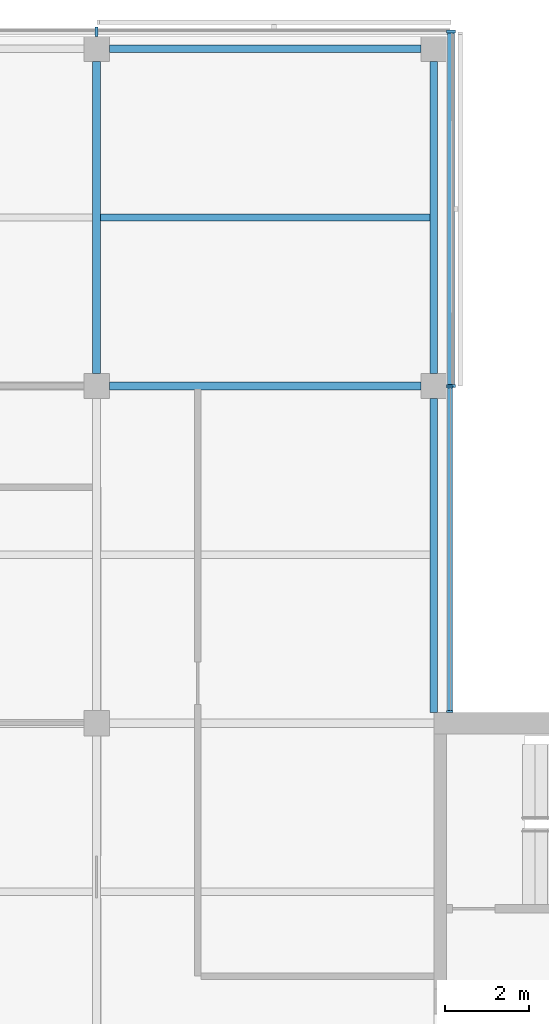
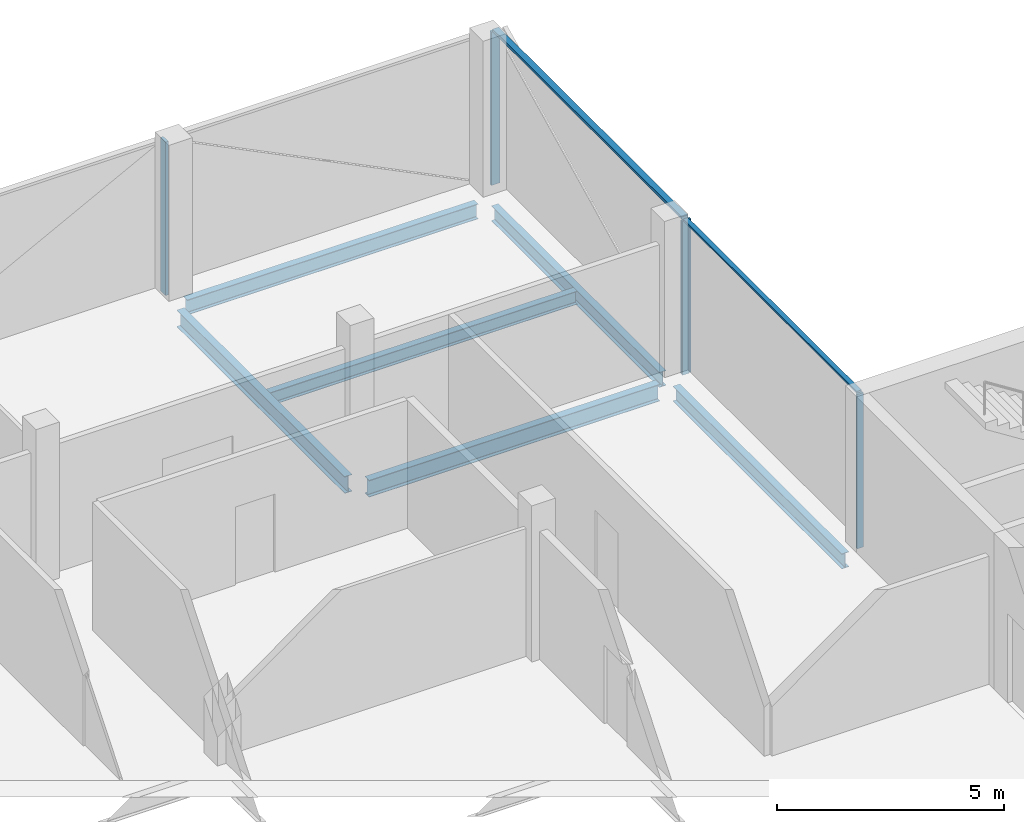
# One storey, part 7 of 15: 7 members, 6 beams, 3 elements without a shape of their own.
"""IFC4 building model written with IfcOpenShell, lengths in metres."""

from ifc_helpers import new_model, si_unit, direction, frame, origin, origin_2d, place, context, subcontext, project, spatial, rectangle, i_section, extrude, material, material_profile, profile_set, type_object, element, aggregate, save


model = new_model("IFC4")

# Units and contexts
model_context = context("Model", 3, precision=1e-05, world=origin(), true_north=direction((0.0, 1.0)))
body_context = subcontext(model_context, "Body", "Model", "MODEL_VIEW")
ifc_project = project(units=[si_unit("LENGTHUNIT", "METRE"), si_unit("AREAUNIT", "SQUARE_METRE"), si_unit("VOLUMEUNIT", "CUBIC_METRE"), si_unit("PLANEANGLEUNIT", "RADIAN"), si_unit("MASSUNIT", "GRAM", prefix="KILO")], contexts=[model_context])

# Site, building, storey
site_placement = place(None, origin())
site = spatial("IfcSite", under=ifc_project, at=site_placement, CompositionType="ELEMENT")
building_placement = place(site_placement, origin())
building = spatial("IfcBuilding", under=site, at=building_placement, Name="Crosswind Convention Tower", CompositionType="ELEMENT")
storey_placement = place(building_placement, frame((0.0, 0.0, 315.5)))
storey = spatial("IfcBuildingStorey", under=building, at=storey_placement, Name="L68", CompositionType="ELEMENT", Elevation=315.5)

# Beams
ifc_material_1 = material(Name="Steel S355", Category="steel")
ifc_material_profile_1 = material_profile(ifc_material_1, i_section(OverallWidth=0.177734375, OverallDepth=0.406494140625, WebThickness=0.0078125, FlangeThickness=0.0126953125, FilletRadius=0.01025390625, at=origin_2d()), Name="UB 406x178x60")
ifc_profile_set_1 = profile_set([ifc_material_profile_1], Name="Steel S355")
beam_type_1 = type_object("IfcBeamType", Name="Edge beam UB 406x178x60", PredefinedType="SPANDREL", material=ifc_profile_set_1)
beam_1_placement = place(storey_placement, frame((129.300048828125, 128.0, -0.503173828125), z_axis=(1.0, 0.0, 0.0), x_axis=(0.0, 1.0, 0.0)))
element("IfcBeam", 1, at=beam_1_placement, inside=storey, type_object=beam_type_1, Name="B15 L68 edge beam 10", PredefinedType="SPANDREL", context=body_context, shape_type="SweptSolid", body=[
    extrude(i_section(OverallWidth=0.177734375, OverallDepth=0.406494140625, WebThickness=0.0078125, FlangeThickness=0.0126953125, FilletRadius=0.01025390625, at=origin_2d()), origin(), (0.0, 0.0, 1.0), 7.39990234375),
])
beam_2_placement = place(storey_placement, frame((137.0, 112.25, -0.503173828125), z_axis=(0.0, 1.0, 0.0), x_axis=(-1.0, 0.0, 0.0)))
element("IfcBeam", 2, at=beam_2_placement, inside=storey, type_object=beam_type_1, Name="B15 L68 edge beam 13", PredefinedType="SPANDREL", context=body_context, shape_type="SweptSolid", body=[
    extrude(i_section(OverallWidth=0.177734375, OverallDepth=0.406494140625, WebThickness=0.0078125, FlangeThickness=0.0126953125, FilletRadius=0.01025390625, at=origin_2d()), origin(), (0.0, 0.0, 1.0), 7.449951171875),
])
beam_3_placement = place(storey_placement, frame((137.0, 120.300048828125, -0.503173828125), z_axis=(0.0, 1.0, 0.0), x_axis=(-1.0, 0.0, 0.0)))
element("IfcBeam", 3, at=beam_3_placement, inside=storey, type_object=beam_type_1, Name="B15 L68 edge beam 14", PredefinedType="SPANDREL", context=body_context, shape_type="SweptSolid", body=[
    extrude(i_section(OverallWidth=0.177734375, OverallDepth=0.406494140625, WebThickness=0.0078125, FlangeThickness=0.0126953125, FilletRadius=0.01025390625, at=origin_2d()), origin(), (0.0, 0.0, 1.0), 7.39990234375),
])
ifc_material_profile_2 = material_profile(ifc_material_1, i_section(OverallWidth=0.18994140625, OverallDepth=0.45361328125, WebThickness=0.008544921875, FlangeThickness=0.0126953125, FilletRadius=0.01025390625, at=origin_2d()), Name="UB 457x191x67")
ifc_profile_set_2 = profile_set([ifc_material_profile_2], Name="Steel S355")
beam_type_2 = type_object("IfcBeamType", Name="Girder UB 457x191x67", PredefinedType="BEAM", material=ifc_profile_set_2)
for number, where, z_axis, x_axis, name in (
    (4, (129.0, 120.300048828125, -0.52685546875), (0.0, 1.0, 0.0), (-1.0, 0.0, 0.0), "B1 L68 girder 22"),
    (5, (129.300048828125, 120.0, -0.52685546875), (1.0, 0.0, 0.0), (0.0, 1.0, 0.0), "B1 L68 girder 24"),
):
    element("IfcBeam", number, at=place(storey_placement, frame(where, z_axis=z_axis, x_axis=x_axis)), inside=storey, type_object=beam_type_2, Name=name, PredefinedType="BEAM", context=body_context, shape_type="SweptSolid", body=[
        extrude(i_section(OverallWidth=0.18994140625, OverallDepth=0.45361328125, WebThickness=0.008544921875, FlangeThickness=0.0126953125, FilletRadius=0.01025390625, at=origin_2d()), origin(), (0.0, 0.0, 1.0), 7.39990234375),
    ])

# Curtain wall, members
ifc_material_2 = material(Name="Aluminium unitised curtain wall", Category="aluminium")
curtain_wall_type_1 = type_object("IfcCurtainWallType", Name="CORE END SLOT WALL 160", PredefinedType="USERDEFINED", material=ifc_material_2)
curtain_wall_1_placement = place(storey_placement, origin())
curtain_wall_1 = element("IfcCurtainWall", 6, at=curtain_wall_1_placement, inside=storey, type_object=curtain_wall_type_1, Name="CW6 L68 N-E.1-1 slot", ObjectType="UNITISED", PredefinedType="USERDEFINED")
ifc_material_3 = material(Name="Aluminium mullion", Category="aluminium")
ifc_material_profile_3 = material_profile(ifc_material_3, rectangle(XDim=0.159912109375, YDim=0.050048828125, at=origin_2d()), Name="AL 160X50")
ifc_profile_set_3 = profile_set([ifc_material_profile_3], Name="Aluminium mullion")
member_type_1 = type_object("IfcMemberType", Name="MULLION 50X160", PredefinedType="MULLION", material=ifc_profile_set_3)
member_1_placement = place(storey_placement, frame((137.3798828125, 112.27490234375, -0.300048828125), z_axis=(0.0, 0.0, 1.0), x_axis=(1.0, 0.0, 0.0)))
member_1 = element("IfcMember", 7, at=member_1_placement, type_object=member_type_1, Name="CW6 mullion 1", PredefinedType="MULLION", context=body_context, shape_type="SweptSolid", body=[
    extrude(rectangle(XDim=0.159912109375, YDim=0.050048828125, at=origin_2d()), origin(), (0.0, 0.0, 1.0), 4.150146484375),
])
member_2_placement = place(storey_placement, frame((137.3798828125, 119.97509765625, -0.300048828125), z_axis=(0.0, 0.0, 1.0), x_axis=(1.0, 0.0, 0.0)))
member_2 = element("IfcMember", 8, at=member_2_placement, type_object=member_type_1, Name="CW6 mullion 2", PredefinedType="MULLION", context=body_context, shape_type="SweptSolid", body=[
    extrude(rectangle(XDim=0.159912109375, YDim=0.050048828125, at=origin_2d()), origin(), (0.0, 0.0, 1.0), 4.150146484375),
])

curtain_wall_type_2 = type_object("IfcCurtainWallType", Name="OFFICE UNITISED WALL 220", PredefinedType="USERDEFINED", material=ifc_material_2)
curtain_wall_2_placement = place(storey_placement, origin())
curtain_wall_2 = element("IfcCurtainWall", 9, at=curtain_wall_2_placement, inside=storey, type_object=curtain_wall_type_2, Name="CW3 L68 N-E 1", ObjectType="UNITISED", PredefinedType="USERDEFINED")
ifc_material_profile_4 = material_profile(ifc_material_3, rectangle(XDim=0.219970703125, YDim=0.070068359375, at=origin_2d()), Name="AL 220X70")
ifc_profile_set_4 = profile_set([ifc_material_profile_4], Name="Aluminium mullion")
member_type_2 = type_object("IfcMemberType", Name="MULLION 70X220", PredefinedType="MULLION", material=ifc_profile_set_4)
member_3_placement = place(storey_placement, frame((137.409912109375, 120.0, -0.300048828125), z_axis=(0.0, 0.0, 1.0), x_axis=(1.0, 0.0, 0.0)))
member_3 = element("IfcMember", 10, at=member_3_placement, type_object=member_type_2, Name="CW3 mullion 1", PredefinedType="MULLION", context=body_context, shape_type="SweptSolid", body=[
    extrude(rectangle(XDim=0.219970703125, YDim=0.070068359375, at=origin_2d()), origin(), (0.0, 0.0, 1.0), 4.130126953125),
])
member_4_placement = place(storey_placement, frame((137.409912109375, 128.409912109375, -0.300048828125), z_axis=(0.0, 0.0, 1.0), x_axis=(1.0, 0.0, 0.0)))
member_4 = element("IfcMember", 11, at=member_4_placement, type_object=member_type_2, Name="CW3 mullion 2", PredefinedType="MULLION", context=body_context, shape_type="SweptSolid", body=[
    extrude(rectangle(XDim=0.219970703125, YDim=0.070068359375, at=origin_2d()), origin(), (0.0, 0.0, 1.0), 4.130126953125),
])

# Curtain wall, member
curtain_wall_3_placement = place(storey_placement, origin())
curtain_wall_3 = element("IfcCurtainWall", 12, at=curtain_wall_3_placement, inside=storey, type_object=curtain_wall_type_2, Name="CW3 L68 N-TIP 1", ObjectType="UNITISED", PredefinedType="USERDEFINED")
member_5_placement = place(storey_placement, frame((129.0, 128.409912109375, -0.300048828125), z_axis=(0.0, 0.0, 1.0), x_axis=(0.0, 1.0, 0.0)))
member_5 = element("IfcMember", 13, at=member_5_placement, type_object=member_type_2, Name="CW3 mullion 2", PredefinedType="MULLION", context=body_context, shape_type="SweptSolid", body=[
    extrude(rectangle(XDim=0.219970703125, YDim=0.070068359375, at=origin_2d()), origin(), (0.0, 0.0, 1.0), 4.130126953125),
])
aggregate(curtain_wall_3, [member_5])

# Beam
ifc_material_profile_5 = material_profile(ifc_material_1, i_section(OverallWidth=0.17138671875, OverallDepth=0.355712890625, WebThickness=0.00732421875, FlangeThickness=0.011474609375, FilletRadius=0.01025390625, at=origin_2d()), Name="UB 356x171x51")
ifc_profile_set_5 = profile_set([ifc_material_profile_5], Name="Steel S355")
beam_type_3 = type_object("IfcBeamType", Name="Secondary beam UB 356x171x51", PredefinedType="JOIST", material=ifc_profile_set_5)
beam_4_placement = place(storey_placement, frame((129.094970703125, 124.0, -0.477783203125), z_axis=(1.0, 0.0, 0.0), x_axis=(0.0, 1.0, 0.0)))
element("IfcBeam", 14, at=beam_4_placement, inside=storey, type_object=beam_type_3, Name="B8 L68 secondary beam 21", PredefinedType="JOIST", context=body_context, shape_type="SweptSolid", body=[
    extrude(i_section(OverallWidth=0.17138671875, OverallDepth=0.355712890625, WebThickness=0.00732421875, FlangeThickness=0.011474609375, FilletRadius=0.01025390625, at=origin_2d()), origin(), (0.0, 0.0, 1.0), 7.816162109375),
])

# Member
ifc_material_4 = material(Name="Aluminium transom", Category="aluminium")
ifc_material_profile_6 = material_profile(ifc_material_4, rectangle(XDim=0.1201171875, YDim=0.050048828125, at=origin_2d()), Name="AL 120X50")
ifc_profile_set_6 = profile_set([ifc_material_profile_6], Name="Aluminium transom")
member_type_3 = type_object("IfcMemberType", Name="TRANSOM 50X120", PredefinedType="USERDEFINED", material=ifc_profile_set_6)
member_6_placement = place(storey_placement, frame((137.3798828125, 112.300048828125, 3.875), z_axis=(0.0, 1.0, 0.0), x_axis=(-1.0, 0.0, 0.0)))
member_6 = element("IfcMember", 15, at=member_6_placement, type_object=member_type_3, Name="CW6 transom", ObjectType="TRANSOM", PredefinedType="USERDEFINED", context=body_context, shape_type="SweptSolid", body=[
    extrude(rectangle(XDim=0.1201171875, YDim=0.050048828125, at=origin_2d()), origin(), (0.0, 0.0, 1.0), 7.64990234375),
])

aggregate(curtain_wall_1, [member_1, member_2, member_6])

ifc_material_profile_7 = material_profile(ifc_material_4, rectangle(XDim=0.159912109375, YDim=0.070068359375, at=origin_2d()), Name="AL 160X70")
ifc_profile_set_7 = profile_set([ifc_material_profile_7], Name="Aluminium transom")
member_type_4 = type_object("IfcMemberType", Name="TRANSOM 70X160", PredefinedType="USERDEFINED", material=ifc_profile_set_7)
member_7_placement = place(storey_placement, frame((137.409912109375, 120.034912109375, 3.864990234375), z_axis=(0.0, 1.0, 0.0), x_axis=(-1.0, 0.0, 0.0)))
member_7 = element("IfcMember", 16, at=member_7_placement, type_object=member_type_4, Name="CW3 transom", ObjectType="TRANSOM", PredefinedType="USERDEFINED", context=body_context, shape_type="SweptSolid", body=[
    extrude(rectangle(XDim=0.159912109375, YDim=0.070068359375, at=origin_2d()), origin(), (0.0, 0.0, 1.0), 8.340087890625),
])

aggregate(curtain_wall_2, [member_3, member_4, member_7])

save(model, "model.ifc")
